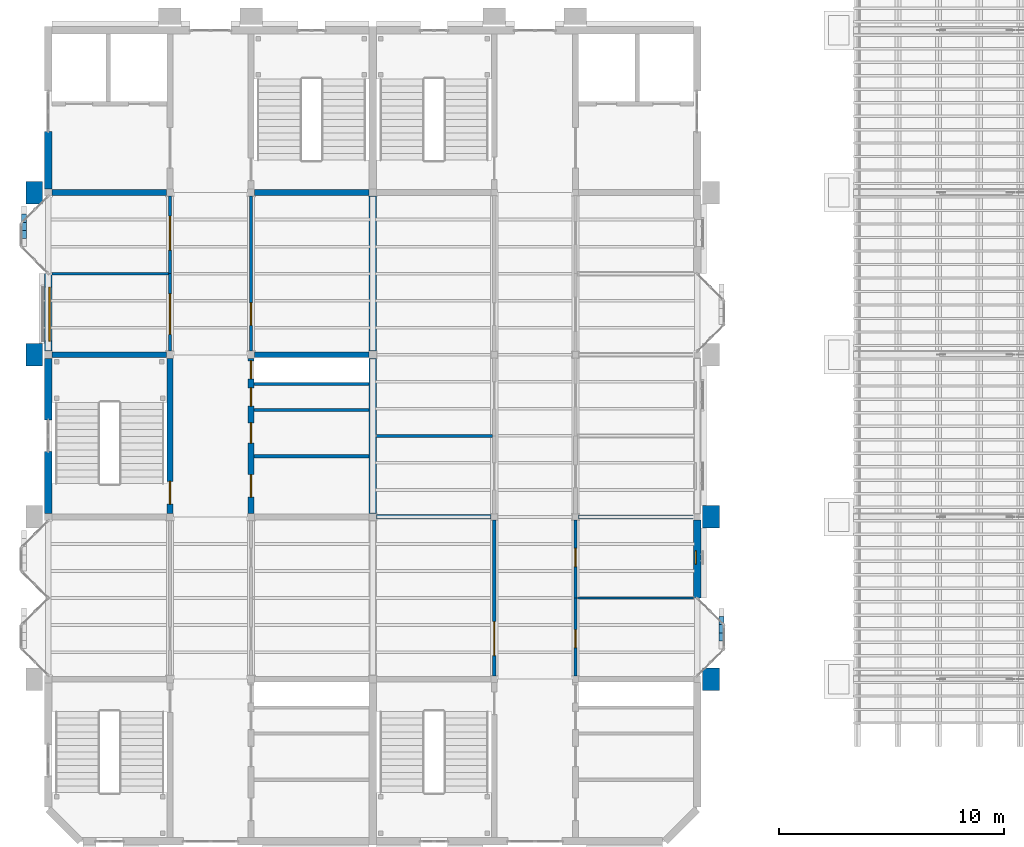
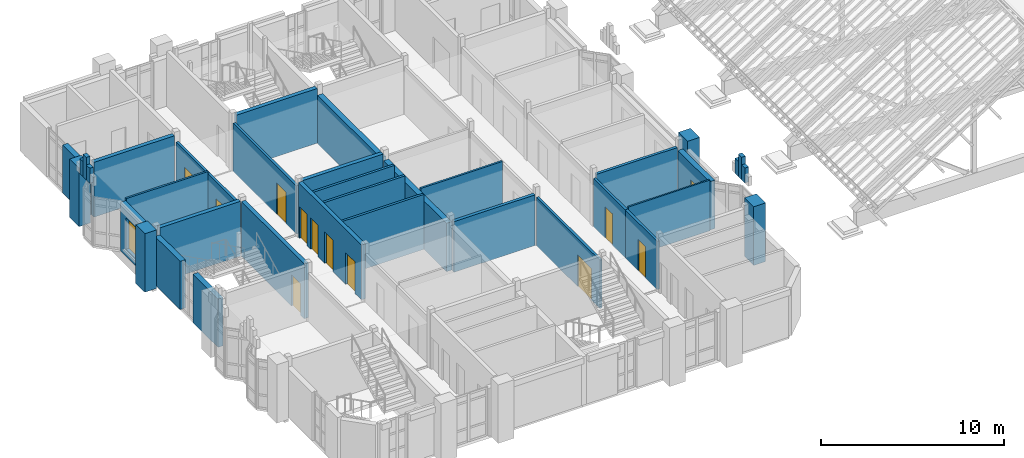
# One storey, part 42 of 71: 37 walls, 11 doors, 2 windows, 13 openings.
"""IFC4 building model written with IfcOpenShell, lengths in metres."""

from ifc_helpers import new_model, si_unit, direction, frame, frame_2d, origin, place, context, subcontext, project, spatial, rectangle, extrude, material, layer, layer_set, type_object, element, fill, save


model = new_model("IFC4")

# Units and contexts
model_context = context("Model", 3, precision=1e-05, world=origin(), true_north=direction((0.0, 1.0)))
body_context = subcontext(model_context, "Body", "Model", "MODEL_VIEW")
ifc_project = project(units=[si_unit("LENGTHUNIT", "METRE"), si_unit("AREAUNIT", "SQUARE_METRE"), si_unit("VOLUMEUNIT", "CUBIC_METRE"), si_unit("PLANEANGLEUNIT", "RADIAN"), si_unit("MASSUNIT", "GRAM", prefix="KILO")], contexts=[model_context])

# Site, building, storey
site_placement = place(None, origin())
site = spatial("IfcSite", under=ifc_project, at=site_placement, CompositionType="ELEMENT")
building_placement = place(site_placement, origin())
building = spatial("IfcBuilding", under=site, at=building_placement, Name="Mazhai Court Health Centre", CompositionType="ELEMENT")
storey_placement = place(building_placement, frame((0.0, 0.0, 10.199951171875)))
storey = spatial("IfcBuildingStorey", under=building, at=storey_placement, Name="L02", CompositionType="ELEMENT", Elevation=10.199951171875)

# Walls
ifc_material_1 = material(Name="Clay brick masonry", Category="masonry")
ifc_layer_1 = layer(ifc_material_1, 0.22998046875)
ifc_layer_set_1 = layer_set([ifc_layer_1], Name="BRICK PARAPET 230")
wall_type_1 = type_object("IfcWallType", Name="BRICK PARAPET 230", PredefinedType="SOLIDWALL", material=ifc_layer_set_1)
wall_1_placement = place(storey_placement, frame((5.114990234375, 32.9599609375, 3.900146484375), z_axis=(0.0, 0.0, 1.0), x_axis=(0.0, 1.0, 0.0)))
element("IfcWall", 1, at=wall_1_placement, inside=storey, type_object=wall_type_1, Name="PR-V2-L02-A31-1", PredefinedType="SOLIDWALL", context=body_context, shape_type="SweptSolid", body=[
    extrude(rectangle(XDim=0.360107421875, YDim=0.22998046875, at=frame_2d((0.18017578125, 0.0))), origin(), (0.0, 0.0, 1.0), 1.0),
])
wall_2_placement = place(storey_placement, frame((5.114990234375, 33.320068359375, 3.900146484375), z_axis=(0.0, 0.0, 1.0), x_axis=(0.0, 1.0, 0.0)))
element("IfcWall", 2, at=wall_2_placement, inside=storey, type_object=wall_type_1, Name="PR-V2-L02-A31-2", PredefinedType="SOLIDWALL", context=body_context, shape_type="SweptSolid", body=[
    extrude(rectangle(XDim=0.35986328125, YDim=0.22998046875, at=frame_2d((0.179931640625, 0.0))), origin(), (0.0, 0.0, 1.0), 1.5),
])
wall_3_placement = place(storey_placement, frame((5.114990234375, 33.679931640625, 3.900146484375), z_axis=(0.0, 0.0, 1.0), x_axis=(0.0, 1.0, 0.0)))
element("IfcWall", 3, at=wall_3_placement, inside=storey, type_object=wall_type_1, Name="PR-V2-L02-A31-3", PredefinedType="SOLIDWALL", context=body_context, shape_type="SweptSolid", body=[
    extrude(rectangle(XDim=0.360107421875, YDim=0.22998046875, at=frame_2d((0.18017578125, 0.0))), origin(), (0.0, 0.0, 1.0), 1.0),
])
wall_4_placement = place(storey_placement, frame((36.0849609375, 15.4599609375, 3.900146484375), z_axis=(0.0, 0.0, 1.0), x_axis=(0.0, -1.0, 0.0)))
element("IfcWall", 4, at=wall_4_placement, inside=storey, type_object=wall_type_1, Name="PR-V5-L02-B10-1", PredefinedType="SOLIDWALL", context=body_context, shape_type="SweptSolid", body=[
    extrude(rectangle(XDim=0.35986328125, YDim=0.22998046875, at=frame_2d((0.179931640625, 0.0))), origin(), (0.0, 0.0, 1.0), 1.0),
])
wall_5_placement = place(storey_placement, frame((36.0849609375, 15.820068359375, 3.900146484375), z_axis=(0.0, 0.0, 1.0), x_axis=(0.0, -1.0, 0.0)))
element("IfcWall", 5, at=wall_5_placement, inside=storey, type_object=wall_type_1, Name="PR-V5-L02-B10-2", PredefinedType="SOLIDWALL", context=body_context, shape_type="SweptSolid", body=[
    extrude(rectangle(XDim=0.360107421875, YDim=0.22998046875, at=frame_2d((0.18017578125, 0.0))), origin(), (0.0, 0.0, 1.0), 1.5),
])
wall_6_placement = place(storey_placement, frame((36.0849609375, 16.179931640625, 3.900146484375), z_axis=(0.0, 0.0, 1.0), x_axis=(0.0, -1.0, 0.0)))
element("IfcWall", 6, at=wall_6_placement, inside=storey, type_object=wall_type_1, Name="PR-V5-L02-B10-3", PredefinedType="SOLIDWALL", context=body_context, shape_type="SweptSolid", body=[
    extrude(rectangle(XDim=0.35986328125, YDim=0.22998046875, at=frame_2d((0.179931640625, 0.0))), origin(), (0.0, 0.0, 1.0), 1.0),
])
ifc_material_2 = material(Name="Clay brick masonry", Category="masonry")
ifc_layer_2 = layer(ifc_material_2, 0.75)
ifc_layer_set_2 = layer_set([ifc_layer_2], Name="BRICK PIER 750")
wall_type_2 = type_object("IfcWallType", Name="BRICK PIER 750", PredefinedType="SOLIDWALL", material=ifc_layer_set_2)
for number, where, z_axis, x_axis, name in (
    (7, (5.574951171875, 27.300048828125, 0.0), (0.0, 0.0, 1.0), (0.0, 1.0, 0.0), "EP-V2-L02-A3"),
    (8, (5.574951171875, 34.5, 0.0), (0.0, 0.0, 1.0), (0.0, 1.0, 0.0), "EP-V2-L02-A4"),
    (9, (35.625, 13.89990234375, 0.0), (0.0, 0.0, 1.0), (0.0, -1.0, 0.0), "EP-V5-L02-B1"),
    (10, (35.625, 21.10009765625, 0.0), (0.0, 0.0, 1.0), (0.0, -1.0, 0.0), "EP-V5-L02-B2"),
):
    element("IfcWall", number, at=place(storey_placement, frame(where, z_axis=z_axis, x_axis=x_axis)), inside=storey, type_object=wall_type_2, Name=name, PredefinedType="SOLIDWALL", context=body_context, shape_type="SweptSolid", body=[
        extrude(rectangle(XDim=1.0, YDim=0.75, at=frame_2d((0.5, 0.0))), origin(), (0.0, 0.0, 1.0), 3.900146484375),
    ])
ifc_material_3 = material(Name="Clay brick masonry", Category="masonry")
ifc_layer_3 = layer(ifc_material_3, 0.330078125)
ifc_layer_set_3 = layer_set([ifc_layer_3], Name="BRICK WALL 330 EXTERNAL")
wall_type_3 = type_object("IfcWallType", Name="BRICK WALL 330 EXTERNAL", PredefinedType="SOLIDWALL", material=ifc_layer_set_3)
for number, where, z_axis, x_axis, name in (
    (11, (6.199951171875, 20.760009765625, 0.0), (0.0, 0.0, 1.0), (0.0, 1.0, 0.0), "EW-V2-L02-A2a"),
    (12, (6.199951171875, 24.89990234375, 0.0), (0.0, 0.0, 1.0), (0.0, 1.0, 0.0), "EW-V2-L02-A2b"),
):
    element("IfcWall", number, at=place(storey_placement, frame(where, z_axis=z_axis, x_axis=x_axis)), inside=storey, type_object=wall_type_3, Name=name, PredefinedType="SOLIDWALL", context=body_context, shape_type="SweptSolid", body=[
        extrude(rectangle(XDim=2.739990234375, YDim=0.330078125, at=frame_2d((1.3701171875, 0.0))), origin(), (0.0, 0.0, 1.0), 3.219970703125),
    ])

# Wall, opening, window
wall_7_placement = place(storey_placement, frame((6.199951171875, 27.9599609375, 0.0), z_axis=(0.0, 0.0, 1.0), x_axis=(0.0, 1.0, 0.0)))
wall_7 = element("IfcWall", 13, at=wall_7_placement, inside=storey, type_object=wall_type_3, Name="EW-V2-L02-A3p0", PredefinedType="SOLIDWALL", context=body_context, shape_type="SweptSolid", body=[
    extrude(rectangle(XDim=3.43994140625, YDim=0.330078125, at=frame_2d((1.719970703125, 0.0))), origin(), (0.0, 0.0, 1.0), 3.219970703125),
])
opening_1_placement = place(wall_7_placement, frame((0.43994140625, 0.0, 0.449951171875)))
opening_1 = element("IfcOpeningElement", 14, at=opening_1_placement, cuts=wall_7, Name="Opening W10", PredefinedType="OPENING", context=body_context, shape_type="SweptSolid", body=[
    extrude(rectangle(XDim=2.39990234375, YDim=2.10009765625, at=frame_2d((1.199951171875, 1.050048828125))), frame((0.0, 0.175048828125, 0.0), z_axis=(0.0, -1.0, 0.0), x_axis=(1.0, 0.0, 0.0)), (0.0, 0.0, 1.0), 0.35009765625),
])
ifc_material_4 = material(Name="Teak timber frame, glazed", Category="wood")
window_type_1 = type_object("IfcWindowType", Name="WINDOW LOUNGE 2400x2100", PartitioningType="SINGLE_PANEL", PredefinedType="WINDOW", material=ifc_material_4)
window_1_placement = place(opening_1_placement, origin())
window_1 = element("IfcWindow", 15, at=window_1_placement, inside=storey, type_object=window_type_1, Name="W10 WN-V2-L02-A30", OverallHeight=2.10009765625, OverallWidth=2.39990234375, PartitioningType="SINGLE_PANEL", PredefinedType="WINDOW", context=body_context, shape_type="SweptSolid", body=[
    extrude(rectangle(XDim=2.39990234375, YDim=2.10009765625, at=frame_2d((1.199951171875, 1.050048828125))), frame((0.0, -0.030029296875, 0.0), z_axis=(0.0, -1.0, 0.0), x_axis=(1.0, 0.0, 0.0)), (0.0, 0.0, 1.0), 0.06005859375),
])
fill(opening_1, window_1)

# Wall
wall_8_placement = place(storey_placement, frame((6.199951171875, 35.159912109375, 0.0), z_axis=(0.0, 0.0, 1.0), x_axis=(0.0, 1.0, 0.0)))
element("IfcWall", 16, at=wall_8_placement, inside=storey, type_object=wall_type_3, Name="EW-V2-L02-A4a", PredefinedType="SOLIDWALL", context=body_context, shape_type="SweptSolid", body=[
    extrude(rectangle(XDim=2.5400390625, YDim=0.330078125, at=frame_2d((1.27001953125, 0.0))), origin(), (0.0, 0.0, 1.0), 3.219970703125),
])

# Wall, opening, window
wall_9_placement = place(storey_placement, frame((35.0, 20.4599609375, 0.0), z_axis=(0.0, 0.0, 1.0), x_axis=(0.0, -1.0, 0.0)))
wall_9 = element("IfcWall", 17, at=wall_9_placement, inside=storey, type_object=wall_type_3, Name="EW-V5-L02-B1p1", PredefinedType="SOLIDWALL", context=body_context, shape_type="SweptSolid", body=[
    extrude(rectangle(XDim=3.4599609375, YDim=0.330078125, at=frame_2d((1.72998046875, 0.0))), origin(), (0.0, 0.0, 1.0), 3.219970703125),
])
opening_2_placement = place(wall_9_placement, frame((1.360107421875, 0.0, 1.5)))
opening_2 = element("IfcOpeningElement", 18, at=opening_2_placement, cuts=wall_9, Name="Opening W5", PredefinedType="OPENING", context=body_context, shape_type="SweptSolid", body=[
    extrude(rectangle(XDim=0.60009765625, YDim=0.60009765625, at=frame_2d((0.300048828125, 0.300048828125))), frame((0.0, 0.175048828125, 0.0), z_axis=(0.0, -1.0, 0.0), x_axis=(1.0, 0.0, 0.0)), (0.0, 0.0, 1.0), 0.35009765625),
])
ifc_material_5 = material(Name="Teak timber frame, glazed", Category="wood")
window_type_2 = type_object("IfcWindowType", Name="WINDOW HIGH LEVEL 600x600", PartitioningType="SINGLE_PANEL", PredefinedType="WINDOW", material=ifc_material_5)
window_2_placement = place(opening_2_placement, origin())
window_2 = element("IfcWindow", 19, at=window_2_placement, inside=storey, type_object=window_type_2, Name="W5 WN-V5-L02-B11", OverallHeight=0.60009765625, OverallWidth=0.60009765625, PartitioningType="SINGLE_PANEL", PredefinedType="WINDOW", context=body_context, shape_type="SweptSolid", body=[
    extrude(rectangle(XDim=0.60009765625, YDim=0.60009765625, at=frame_2d((0.300048828125, 0.300048828125))), frame((0.0, -0.030029296875, 0.0), z_axis=(0.0, -1.0, 0.0), x_axis=(1.0, 0.0, 0.0)), (0.0, 0.0, 1.0), 0.06005859375),
])
fill(opening_2, window_2)

# Walls
ifc_material_6 = material(Name="Clay brick masonry", Category="masonry")
ifc_layer_4 = layer(ifc_material_6, 0.330078125)
ifc_layer_set_4 = layer_set([ifc_layer_4], Name="BRICK WALL 330 INTERNAL")
wall_type_4 = type_object("IfcWallType", Name="BRICK WALL 330 INTERNAL", PredefinedType="SOLIDWALL", material=ifc_layer_set_4)
wall_10_placement = place(storey_placement, frame((20.60009765625, 27.639892578125, 0.0), z_axis=(0.0, 0.0, 1.0), x_axis=(0.0, -1.0, 0.0)))
element("IfcWall", 20, at=wall_10_placement, inside=storey, type_object=wall_type_4, Name="EW-V2-L02-B2", PredefinedType="SOLIDWALL", context=body_context, shape_type="SweptSolid", body=[
    extrude(rectangle(XDim=6.8798828125, YDim=0.330078125, at=frame_2d((3.43994140625, 0.0))), origin(), (0.0, 0.0, 1.0), 3.219970703125),
])
wall_11_placement = place(storey_placement, frame((20.60009765625, 34.840087890625, 0.0), z_axis=(0.0, 0.0, 1.0), x_axis=(0.0, -1.0, 0.0)))
element("IfcWall", 21, at=wall_11_placement, inside=storey, type_object=wall_type_4, Name="EW-V2-L02-B3", PredefinedType="SOLIDWALL", context=body_context, shape_type="SweptSolid", body=[
    extrude(rectangle(XDim=6.880126953125, YDim=0.330078125, at=frame_2d((3.43994140625, 0.0))), origin(), (0.0, 0.0, 1.0), 3.219970703125),
])
ifc_material_7 = material(Name="Gypsum plasterboard partition")
ifc_layer_5 = layer(ifc_material_7, 0.10009765625)
ifc_layer_set_5 = layer_set([ifc_layer_5], Name="PARTITION 100 STUD EI30")
wall_type_5 = type_object("IfcWallType", Name="PARTITION 100 STUD EI30", PredefinedType="PARTITIONING", material=ifc_layer_set_5)
wall_12_placement = place(storey_placement, frame((34.8349609375, 17.0, 0.0), z_axis=(0.0, 0.0, 1.0), x_axis=(-1.0, 0.0, 0.0)))
element("IfcWall", 22, at=wall_12_placement, inside=storey, type_object=wall_type_5, Name="wall-V5-L02-B0-cross-1a", PredefinedType="PARTITIONING", context=body_context, shape_type="SweptSolid", body=[
    extrude(rectangle(XDim=5.1474609375, YDim=0.10009765625, at=frame_2d((2.57373046875, 0.0))), origin(), (0.0, 0.0, 1.0), 3.380126953125),
])
ifc_material_8 = material(Name="Gypsum plasterboard partition")
ifc_layer_6 = layer(ifc_material_8, 0.125)
ifc_layer_set_6 = layer_set([ifc_layer_6], Name="PARTITION 125 STUD EI30")
wall_type_6 = type_object("IfcWallType", Name="PARTITION 125 STUD EI30", PredefinedType="PARTITIONING", material=ifc_layer_set_6)
wall_13_placement = place(storey_placement, frame((6.364990234375, 31.39990234375, 0.0), z_axis=(0.0, 0.0, 1.0), x_axis=(1.0, 0.0, 0.0)))
element("IfcWall", 23, at=wall_13_placement, inside=storey, type_object=wall_type_6, Name="wall-V2-L02-A1-cross-1a", PredefinedType="PARTITIONING", context=body_context, shape_type="SweptSolid", body=[
    extrude(rectangle(XDim=5.159912109375, YDim=0.125, at=frame_2d((2.580078125, 0.0))), origin(), (0.0, 0.0, 1.0), 3.380126953125),
])
wall_14_placement = place(storey_placement, frame((20.764892578125, 24.199951171875, 0.0), z_axis=(0.0, 0.0, 1.0), x_axis=(1.0, 0.0, 0.0)))
element("IfcWall", 24, at=wall_14_placement, inside=storey, type_object=wall_type_6, Name="wall-V5-L02-A0-cross-2a", PredefinedType="PARTITIONING", context=body_context, shape_type="SweptSolid", body=[
    extrude(rectangle(XDim=5.16015625, YDim=0.125, at=frame_2d((2.580078125, 0.0))), origin(), (0.0, 0.0, 1.0), 3.380126953125),
])

# Wall, opening, door
ifc_material_9 = material(Name="Gypsum plasterboard partition")
ifc_layer_7 = layer(ifc_material_9, 0.14990234375)
ifc_layer_set_7 = layer_set([ifc_layer_7], Name="PARTITION 150 CORRIDOR EI60")
wall_type_7 = type_object("IfcWallType", Name="PARTITION 150 CORRIDOR EI60", PredefinedType="PARTITIONING", material=ifc_layer_set_7)
wall_15_placement = place(storey_placement, frame((11.60009765625, 27.9599609375, 0.0), z_axis=(0.0, 0.0, 1.0), x_axis=(0.0, 1.0, 0.0)))
wall_15 = element("IfcWall", 25, at=wall_15_placement, inside=storey, type_object=wall_type_7, Name="wall-V2-L02-A1-corr-0a", PredefinedType="PARTITIONING", context=body_context, shape_type="SweptSolid", body=[
    extrude(rectangle(XDim=3.43994140625, YDim=0.14990234375, at=frame_2d((1.719970703125, 0.0))), origin(), (0.0, 0.0, 1.0), 3.219970703125),
])
opening_3_placement = place(wall_15_placement, frame((0.739990234375, 0.0, 0.0)))
opening_3 = element("IfcOpeningElement", 26, at=opening_3_placement, cuts=wall_15, Name="Opening D-L02-004", PredefinedType="OPENING", context=body_context, shape_type="SweptSolid", body=[
    extrude(rectangle(XDim=1.800048828125, YDim=2.10009765625, at=frame_2d((0.89990234375, 1.050048828125))), frame((0.0, 0.0849609375, 0.0), z_axis=(0.0, -1.0, 0.0), x_axis=(1.0, 0.0, 0.0)), (0.0, 0.0, 1.0), 0.169921875),
])
ifc_material_10 = material(Name="Hardwood door leaf", Category="wood")
door_type_1 = type_object("IfcDoorType", Name="DOOR 1800x2100 FD30S DOUBLE", OperationType="NOTDEFINED", PredefinedType="DOOR", material=ifc_material_10)
door_1_placement = place(opening_3_placement, origin())
door_1 = element("IfcDoor", 27, at=door_1_placement, inside=storey, type_object=door_type_1, Name="door-V2-L02-A1-day-ward-bay", OperationType="DOUBLE_DOOR_SINGLE_SWING", OverallHeight=2.10009765625, OverallWidth=1.800048828125, PredefinedType="DOOR", context=body_context, shape_type="SweptSolid", body=[
    extrude(rectangle(XDim=1.800048828125, YDim=2.10009765625, at=frame_2d((0.89990234375, 1.050048828125))), frame((0.0, 0.02490234375, 0.0), z_axis=(0.0, -1.0, 0.0), x_axis=(1.0, 0.0, 0.0)), (0.0, 0.0, 1.0), 0.050048828125),
])
fill(opening_3, door_1)

wall_16_placement = place(storey_placement, frame((11.60009765625, 31.39990234375, 0.0), z_axis=(0.0, 0.0, 1.0), x_axis=(0.0, 1.0, 0.0)))
wall_16 = element("IfcWall", 28, at=wall_16_placement, inside=storey, type_object=wall_type_7, Name="wall-V2-L02-A1-corr-1a", PredefinedType="PARTITIONING", context=body_context, shape_type="SweptSolid", body=[
    extrude(rectangle(XDim=3.440185546875, YDim=0.14990234375, at=frame_2d((1.72021484375, 0.0))), origin(), (0.0, 0.0, 1.0), 3.219970703125),
])
opening_4_placement = place(wall_16_placement, frame((1.050048828125, 0.0, 0.0)))
opening_4 = element("IfcOpeningElement", 29, at=opening_4_placement, cuts=wall_16, Name="Opening D-L02-005", PredefinedType="OPENING", context=body_context, shape_type="SweptSolid", body=[
    extrude(rectangle(XDim=1.5, YDim=2.10009765625, at=frame_2d((0.75, 1.050048828125))), frame((0.0, 0.0849609375, 0.0), z_axis=(0.0, -1.0, 0.0), x_axis=(1.0, 0.0, 0.0)), (0.0, 0.0, 1.0), 0.169921875),
])
ifc_material_11 = material(Name="Hardwood door leaf", Category="wood")
door_type_2 = type_object("IfcDoorType", Name="DOOR 1500x2100 FD30S DOUBLE", OperationType="NOTDEFINED", PredefinedType="DOOR", material=ifc_material_11)
door_2_placement = place(opening_4_placement, origin())
door_2 = element("IfcDoor", 30, at=door_2_placement, inside=storey, type_object=door_type_2, Name="door-V2-L02-A1-discharge-lounge", OperationType="DOUBLE_DOOR_SINGLE_SWING", OverallHeight=2.10009765625, OverallWidth=1.5, PredefinedType="DOOR", context=body_context, shape_type="SweptSolid", body=[
    extrude(rectangle(XDim=1.5, YDim=2.10009765625, at=frame_2d((0.75, 1.050048828125))), frame((0.0, 0.02490234375, 0.0), z_axis=(0.0, -1.0, 0.0), x_axis=(1.0, 0.0, 0.0)), (0.0, 0.0, 1.0), 0.050048828125),
])
fill(opening_4, door_2)

wall_17_placement = place(storey_placement, frame((15.199951171875, 34.840087890625, 0.0), z_axis=(0.0, 0.0, 1.0), x_axis=(0.0, -1.0, 0.0)))
wall_17 = element("IfcWall", 31, at=wall_17_placement, inside=storey, type_object=wall_type_7, Name="wall-V2-L02-B1-corr-0a", PredefinedType="PARTITIONING", context=body_context, shape_type="SweptSolid", body=[
    extrude(rectangle(XDim=6.880126953125, YDim=0.14990234375, at=frame_2d((3.43994140625, 0.0))), origin(), (0.0, 0.0, 1.0), 3.219970703125),
])
opening_5_placement = place(wall_17_placement, frame((4.739990234375, 0.0, 0.0)))
opening_5 = element("IfcOpeningElement", 32, at=opening_5_placement, cuts=wall_17, Name="Opening D-L02-017", PredefinedType="OPENING", context=body_context, shape_type="SweptSolid", body=[
    extrude(rectangle(XDim=1.0, YDim=2.10009765625, at=frame_2d((0.5, 1.050048828125))), frame((0.0, 0.0849609375, 0.0), z_axis=(0.0, -1.0, 0.0), x_axis=(1.0, 0.0, 0.0)), (0.0, 0.0, 1.0), 0.169921875),
])
ifc_material_12 = material(Name="Hardwood door leaf", Category="wood")
door_type_3 = type_object("IfcDoorType", Name="DOOR 1000x2100 FD30S SINGLE", OperationType="NOTDEFINED", PredefinedType="DOOR", material=ifc_material_12)
door_3_placement = place(opening_5_placement, origin())
door_3 = element("IfcDoor", 33, at=door_3_placement, inside=storey, type_object=door_type_3, Name="door-V2-L02-B1-second-phase-recovery-lounge", OperationType="SINGLE_SWING_RIGHT", OverallHeight=2.10009765625, OverallWidth=1.0, PredefinedType="DOOR", context=body_context, shape_type="SweptSolid", body=[
    extrude(rectangle(XDim=1.0, YDim=2.10009765625, at=frame_2d((0.5, 1.050048828125))), frame((0.0, 0.02490234375, 0.0), z_axis=(0.0, -1.0, 0.0), x_axis=(1.0, 0.0, 0.0)), (0.0, 0.0, 1.0), 0.050048828125),
])
fill(opening_5, door_3)

wall_18_placement = place(storey_placement, frame((26.0, 13.5400390625, 0.0), z_axis=(0.0, 0.0, 1.0), x_axis=(0.0, 1.0, 0.0)))
wall_18 = element("IfcWall", 34, at=wall_18_placement, inside=storey, type_object=wall_type_7, Name="wall-V5-L02-A0-corr-0a", PredefinedType="PARTITIONING", context=body_context, shape_type="SweptSolid", body=[
    extrude(rectangle(XDim=6.919921875, YDim=0.14990234375, at=frame_2d((3.4599609375, 0.0))), origin(), (0.0, 0.0, 1.0), 3.219970703125),
])
opening_6_placement = place(wall_18_placement, frame((0.909912109375, 0.0, 0.0)))
opening_6 = element("IfcOpeningElement", 35, at=opening_6_placement, cuts=wall_18, Name="Opening D-L02-020", PredefinedType="OPENING", context=body_context, shape_type="SweptSolid", body=[
    extrude(rectangle(XDim=1.5, YDim=2.10009765625, at=frame_2d((0.75, 1.050048828125))), frame((0.0, 0.0849609375, 0.0), z_axis=(0.0, -1.0, 0.0), x_axis=(1.0, 0.0, 0.0)), (0.0, 0.0, 1.0), 0.169921875),
])
door_4_placement = place(opening_6_placement, origin())
door_4 = element("IfcDoor", 36, at=door_4_placement, inside=storey, type_object=door_type_2, Name="door-V5-L02-A0-physiotherapy-gym", OperationType="DOUBLE_DOOR_SINGLE_SWING", OverallHeight=2.10009765625, OverallWidth=1.5, PredefinedType="DOOR", context=body_context, shape_type="SweptSolid", body=[
    extrude(rectangle(XDim=1.5, YDim=2.10009765625, at=frame_2d((0.75, 1.050048828125))), frame((0.0, 0.02490234375, 0.0), z_axis=(0.0, -1.0, 0.0), x_axis=(1.0, 0.0, 0.0)), (0.0, 0.0, 1.0), 0.050048828125),
])
fill(opening_6, door_4)

wall_19_placement = place(storey_placement, frame((29.60009765625, 17.0, 0.0), z_axis=(0.0, 0.0, 1.0), x_axis=(0.0, -1.0, 0.0)))
wall_19 = element("IfcWall", 37, at=wall_19_placement, inside=storey, type_object=wall_type_7, Name="wall-V5-L02-B0-corr-0a", PredefinedType="PARTITIONING", context=body_context, shape_type="SweptSolid", body=[
    extrude(rectangle(XDim=3.4599609375, YDim=0.14990234375, at=frame_2d((1.72998046875, 0.0))), origin(), (0.0, 0.0, 1.0), 3.219970703125),
])
opening_7_placement = place(wall_19_placement, frame((1.39990234375, 0.0, 0.0)))
opening_7 = element("IfcOpeningElement", 38, at=opening_7_placement, cuts=wall_19, Name="Opening D-L02-029", PredefinedType="OPENING", context=body_context, shape_type="SweptSolid", body=[
    extrude(rectangle(XDim=0.800048828125, YDim=2.10009765625, at=frame_2d((0.39990234375, 1.050048828125))), frame((0.0, 0.0849609375, 0.0), z_axis=(0.0, -1.0, 0.0), x_axis=(1.0, 0.0, 0.0)), (0.0, 0.0, 1.0), 0.169921875),
])
ifc_material_13 = material(Name="Hardwood door leaf", Category="wood")
door_type_4 = type_object("IfcDoorType", Name="DOOR 800x2100 FD30S SINGLE", OperationType="NOTDEFINED", PredefinedType="DOOR", material=ifc_material_13)
door_5_placement = place(opening_7_placement, origin())
door_5 = element("IfcDoor", 39, at=door_5_placement, inside=storey, type_object=door_type_4, Name="door-V5-L02-B0-pharmacy-store", OperationType="SINGLE_SWING_RIGHT", OverallHeight=2.10009765625, OverallWidth=0.800048828125, PredefinedType="DOOR", context=body_context, shape_type="SweptSolid", body=[
    extrude(rectangle(XDim=0.800048828125, YDim=2.10009765625, at=frame_2d((0.39990234375, 1.050048828125))), frame((0.0, 0.02490234375, 0.0), z_axis=(0.0, -1.0, 0.0), x_axis=(1.0, 0.0, 0.0)), (0.0, 0.0, 1.0), 0.050048828125),
])
fill(opening_7, door_5)

wall_20_placement = place(storey_placement, frame((29.60009765625, 20.4599609375, 0.0), z_axis=(0.0, 0.0, 1.0), x_axis=(0.0, -1.0, 0.0)))
wall_20 = element("IfcWall", 40, at=wall_20_placement, inside=storey, type_object=wall_type_7, Name="wall-V5-L02-B0-corr-1a", PredefinedType="PARTITIONING", context=body_context, shape_type="SweptSolid", body=[
    extrude(rectangle(XDim=3.4599609375, YDim=0.14990234375, at=frame_2d((1.72998046875, 0.0))), origin(), (0.0, 0.0, 1.0), 3.219970703125),
])
opening_8_placement = place(wall_20_placement, frame((1.260009765625, 0.0, 0.0)))
opening_8 = element("IfcOpeningElement", 41, at=opening_8_placement, cuts=wall_20, Name="Opening D-L02-030", PredefinedType="OPENING", context=body_context, shape_type="SweptSolid", body=[
    extrude(rectangle(XDim=0.800048828125, YDim=2.10009765625, at=frame_2d((0.39990234375, 1.050048828125))), frame((0.0, 0.0849609375, 0.0), z_axis=(0.0, -1.0, 0.0), x_axis=(1.0, 0.0, 0.0)), (0.0, 0.0, 1.0), 0.169921875),
])
door_6_placement = place(opening_8_placement, origin())
door_6 = element("IfcDoor", 42, at=door_6_placement, inside=storey, type_object=door_type_4, Name="door-V5-L02-B0-medical-records-room", OperationType="SINGLE_SWING_LEFT", OverallHeight=2.10009765625, OverallWidth=0.800048828125, PredefinedType="DOOR", context=body_context, shape_type="SweptSolid", body=[
    extrude(rectangle(XDim=0.800048828125, YDim=2.10009765625, at=frame_2d((0.39990234375, 1.050048828125))), frame((0.0, 0.02490234375, 0.0), z_axis=(0.0, -1.0, 0.0), x_axis=(1.0, 0.0, 0.0)), (0.0, 0.0, 1.0), 0.050048828125),
])
fill(opening_8, door_6)

# Walls
ifc_material_14 = material(Name="Gypsum plasterboard partition")
ifc_layer_8 = layer(ifc_material_14, 0.175048828125)
ifc_layer_set_8 = layer_set([ifc_layer_8], Name="PARTITION 175 FIRE EI60")
wall_type_8 = type_object("IfcWallType", Name="PARTITION 175 FIRE EI60", PredefinedType="PARTITIONING", material=ifc_layer_set_8)
wall_21_placement = place(storey_placement, frame((34.8349609375, 20.60009765625, 0.0), z_axis=(0.0, 0.0, 1.0), x_axis=(-1.0, 0.0, 0.0)))
element("IfcWall", 43, at=wall_21_placement, inside=storey, type_object=wall_type_8, Name="wall-V5-L02-B0-cross-2a", PredefinedType="PARTITIONING", context=body_context, shape_type="SweptSolid", body=[
    extrude(rectangle(XDim=5.094970703125, YDim=0.175048828125, at=frame_2d((2.54736328125, 0.0))), origin(), (0.0, 0.0, 1.0), 3.380126953125),
])
ifc_material_15 = material(Name="Gypsum plasterboard partition")
ifc_layer_9 = layer(ifc_material_15, 0.199951171875)
ifc_layer_set_9 = layer_set([ifc_layer_9], Name="PARTITION 200 ACOUSTIC EI30")
wall_type_9 = type_object("IfcWallType", Name="PARTITION 200 ACOUSTIC EI30", PredefinedType="PARTITIONING", material=ifc_layer_set_9)
wall_22_placement = place(storey_placement, frame((20.764892578125, 20.60009765625, 0.0), z_axis=(0.0, 0.0, 1.0), x_axis=(1.0, 0.0, 0.0)))
element("IfcWall", 44, at=wall_22_placement, inside=storey, type_object=wall_type_9, Name="wall-V5-L02-A0-cross-1a", PredefinedType="PARTITIONING", context=body_context, shape_type="SweptSolid", body=[
    extrude(rectangle(XDim=5.09521484375, YDim=0.199951171875, at=frame_2d((2.547607421875, 0.0))), origin(), (0.0, 0.0, 1.0), 3.380126953125),
])

# Wall, opening, door
ifc_material_16 = material(Name="Concrete M40", Category="concrete")
ifc_layer_10 = layer(ifc_material_16, 0.25)
ifc_layer_set_10 = layer_set([ifc_layer_10], Name="RC CORE WALL 250 M40")
wall_type_10 = type_object("IfcWallType", Name="RC CORE WALL 250 M40", PredefinedType="SHEAR", material=ifc_layer_set_10)
wall_23_placement = place(storey_placement, frame((11.60009765625, 20.760009765625, 0.0), z_axis=(0.0, 0.0, 1.0), x_axis=(0.0, 1.0, 0.0)))
wall_23 = element("IfcWall", 45, at=wall_23_placement, inside=storey, type_object=wall_type_10, Name="core-C2-w-stair-corr-L02", PredefinedType="SHEAR", context=body_context, shape_type="SweptSolid", body=[
    extrude(rectangle(XDim=6.8798828125, YDim=0.25, at=frame_2d((3.43994140625, 0.0))), origin(), (0.0, 0.0, 1.0), 3.650146484375),
])
opening_9_placement = place(wall_23_placement, frame((0.4150390625, 0.0, 0.0)))
opening_9 = element("IfcOpeningElement", 46, at=opening_9_placement, cuts=wall_23, Name="Opening D-L02-003", PredefinedType="OPENING", context=body_context, shape_type="SweptSolid", body=[
    extrude(rectangle(XDim=1.0, YDim=2.10009765625, at=frame_2d((0.5, 1.050048828125))), frame((0.0, 0.135009765625, 0.0), z_axis=(0.0, -1.0, 0.0), x_axis=(1.0, 0.0, 0.0)), (0.0, 0.0, 1.0), 0.27001953125),
])
ifc_material_17 = material(Name="Steel fire door leaf", Category="steel")
door_type_5 = type_object("IfcDoorType", Name="FD120S STAIR DOOR 1000x2100", OperationType="SINGLE_SWING_LEFT", PredefinedType="DOOR", material=ifc_material_17)
door_7_placement = place(opening_9_placement, origin())
door_7 = element("IfcDoor", 47, at=door_7_placement, inside=storey, type_object=door_type_5, Name="Stair 2 door L02", OperationType="SINGLE_SWING_RIGHT", OverallHeight=2.10009765625, OverallWidth=1.0, PredefinedType="DOOR", context=body_context, shape_type="SweptSolid", body=[
    extrude(rectangle(XDim=1.0, YDim=2.10009765625, at=frame_2d((0.5, 1.050048828125))), frame((0.0, 0.02490234375, 0.0), z_axis=(0.0, -1.0, 0.0), x_axis=(1.0, 0.0, 0.0)), (0.0, 0.0, 1.0), 0.050048828125),
])
fill(opening_9, door_7)

# Wall
wall_24_placement = place(storey_placement, frame((6.360107421875, 27.800048828125, 0.0), z_axis=(0.0, 0.0, 1.0), x_axis=(1.0, 0.0, 0.0)))
element("IfcWall", 48, at=wall_24_placement, inside=storey, type_object=wall_type_10, Name="core-C2-w-stair-line1-L02", PredefinedType="SHEAR", context=body_context, shape_type="SweptSolid", body=[
    extrude(rectangle(XDim=5.079833984375, YDim=0.25, at=frame_2d((2.5400390625, 0.0))), origin(), (0.0, 0.0, 1.0), 3.650146484375),
])

# Wall, openings, doors
wall_25_placement = place(storey_placement, frame((15.199951171875, 20.760009765625, 0.0), z_axis=(0.0, 0.0, 1.0), x_axis=(0.0, 1.0, 0.0)))
wall_25 = element("IfcWall", 49, at=wall_25_placement, inside=storey, type_object=wall_type_10, Name="core-C2-w-other-corr-L02", PredefinedType="SHEAR", context=body_context, shape_type="SweptSolid", body=[
    extrude(rectangle(XDim=6.8798828125, YDim=0.25, at=frame_2d((3.43994140625, 0.0))), origin(), (0.0, 0.0, 1.0), 3.650146484375),
])
opening_10_placement = place(wall_25_placement, frame((0.715087890625, 0.0, 0.0)))
opening_10 = element("IfcOpeningElement", 50, at=opening_10_placement, cuts=wall_25, Name="Opening D-L02-013", PredefinedType="OPENING", context=body_context, shape_type="SweptSolid", body=[
    extrude(rectangle(XDim=1.0, YDim=2.10009765625, at=frame_2d((0.5, 1.050048828125))), frame((0.0, 0.135009765625, 0.0), z_axis=(0.0, -1.0, 0.0), x_axis=(1.0, 0.0, 0.0)), (0.0, 0.0, 1.0), 0.27001953125),
])
opening_11_placement = place(wall_25_placement, frame((3.114990234375, 0.0, 0.0)))
opening_11 = element("IfcOpeningElement", 51, at=opening_11_placement, cuts=wall_25, Name="Opening D-L02-014", PredefinedType="OPENING", context=body_context, shape_type="SweptSolid", body=[
    extrude(rectangle(XDim=0.89990234375, YDim=2.10009765625, at=frame_2d((0.449951171875, 1.050048828125))), frame((0.0, 0.135009765625, 0.0), z_axis=(0.0, -1.0, 0.0), x_axis=(1.0, 0.0, 0.0)), (0.0, 0.0, 1.0), 0.27001953125),
])
opening_12_placement = place(wall_25_placement, frame((4.764892578125, 0.0, 0.0)))
opening_12 = element("IfcOpeningElement", 52, at=opening_12_placement, cuts=wall_25, Name="Opening D-L02-015", PredefinedType="OPENING", context=body_context, shape_type="SweptSolid", body=[
    extrude(rectangle(XDim=0.800048828125, YDim=2.10009765625, at=frame_2d((0.39990234375, 1.050048828125))), frame((0.0, 0.135009765625, 0.0), z_axis=(0.0, -1.0, 0.0), x_axis=(1.0, 0.0, 0.0)), (0.0, 0.0, 1.0), 0.27001953125),
])
opening_13_placement = place(wall_25_placement, frame((5.965087890625, 0.0, 0.0)))
opening_13 = element("IfcOpeningElement", 53, at=opening_13_placement, cuts=wall_25, Name="Opening D-L02-016", PredefinedType="OPENING", context=body_context, shape_type="SweptSolid", body=[
    extrude(rectangle(XDim=0.800048828125, YDim=2.10009765625, at=frame_2d((0.39990234375, 1.050048828125))), frame((0.0, 0.135009765625, 0.0), z_axis=(0.0, -1.0, 0.0), x_axis=(1.0, 0.0, 0.0)), (0.0, 0.0, 1.0), 0.27001953125),
])
ifc_material_18 = material(Name="Timber door leaf", Category="wood")
door_type_6 = type_object("IfcDoorType", Name="ACCESSIBLE WC DOOR 1000x2100", OperationType="SINGLE_SWING_RIGHT", PredefinedType="DOOR", material=ifc_material_18)
door_8_placement = place(opening_10_placement, origin())
door_8 = element("IfcDoor", 54, at=door_8_placement, inside=storey, type_object=door_type_6, Name="Accessible WC door L02", OperationType="SINGLE_SWING_LEFT", OverallHeight=2.10009765625, OverallWidth=1.0, PredefinedType="DOOR", context=body_context, shape_type="SweptSolid", body=[
    extrude(rectangle(XDim=1.0, YDim=2.10009765625, at=frame_2d((0.5, 1.050048828125))), frame((0.0, 0.02490234375, 0.0), z_axis=(0.0, -1.0, 0.0), x_axis=(1.0, 0.0, 0.0)), (0.0, 0.0, 1.0), 0.050048828125),
])
fill(opening_10, door_8)
ifc_material_19 = material(Name="Timber door leaf", Category="wood")
door_type_7 = type_object("IfcDoorType", Name="CLEANER STORE DOOR 800x2100", OperationType="SINGLE_SWING_LEFT", PredefinedType="DOOR", material=ifc_material_19)
door_9_placement = place(opening_12_placement, origin())
door_9 = element("IfcDoor", 55, at=door_9_placement, inside=storey, type_object=door_type_7, Name="Cleaner door L02", OperationType="SINGLE_SWING_LEFT", OverallHeight=2.10009765625, OverallWidth=0.800048828125, PredefinedType="DOOR", context=body_context, shape_type="SweptSolid", body=[
    extrude(rectangle(XDim=0.800048828125, YDim=2.10009765625, at=frame_2d((0.39990234375, 1.050048828125))), frame((0.0, 0.02490234375, 0.0), z_axis=(0.0, -1.0, 0.0), x_axis=(1.0, 0.0, 0.0)), (0.0, 0.0, 1.0), 0.050048828125),
])
fill(opening_12, door_9)
ifc_material_20 = material(Name="Steel fire door leaf", Category="steel")
door_type_8 = type_object("IfcDoorType", Name="FD60S RISER DOOR 800x2100", OperationType="SINGLE_SWING_LEFT", PredefinedType="DOOR", material=ifc_material_20)
door_10_placement = place(opening_13_placement, origin())
door_10 = element("IfcDoor", 56, at=door_10_placement, inside=storey, type_object=door_type_8, Name="Riser door L02", OperationType="SINGLE_SWING_LEFT", OverallHeight=2.10009765625, OverallWidth=0.800048828125, PredefinedType="DOOR", context=body_context, shape_type="SweptSolid", body=[
    extrude(rectangle(XDim=0.800048828125, YDim=2.10009765625, at=frame_2d((0.39990234375, 1.050048828125))), frame((0.0, 0.02490234375, 0.0), z_axis=(0.0, -1.0, 0.0), x_axis=(1.0, 0.0, 0.0)), (0.0, 0.0, 1.0), 0.050048828125),
])
fill(opening_13, door_10)
ifc_material_21 = material(Name="Timber door leaf", Category="wood")
door_type_9 = type_object("IfcDoorType", Name="WC DOOR 900x2100", OperationType="SINGLE_SWING_LEFT", PredefinedType="DOOR", material=ifc_material_21)
door_11_placement = place(opening_11_placement, origin())
door_11 = element("IfcDoor", 57, at=door_11_placement, inside=storey, type_object=door_type_9, Name="WC door L02", OperationType="SINGLE_SWING_LEFT", OverallHeight=2.10009765625, OverallWidth=0.89990234375, PredefinedType="DOOR", context=body_context, shape_type="SweptSolid", body=[
    extrude(rectangle(XDim=0.89990234375, YDim=2.10009765625, at=frame_2d((0.449951171875, 1.050048828125))), frame((0.0, 0.02490234375, 0.0), z_axis=(0.0, -1.0, 0.0), x_axis=(1.0, 0.0, 0.0)), (0.0, 0.0, 1.0), 0.050048828125),
])
fill(opening_11, door_11)

# Walls
for number, where, z_axis, x_axis, name in (
    (58, (15.360107421875, 27.800048828125, 0.0), (0.0, 0.0, 1.0), (1.0, 0.0, 0.0), "core-C2-w-other-line1-L02"),
    (59, (15.360107421875, 35.0, 0.0), (0.0, 0.0, 1.0), (1.0, 0.0, 0.0), "core-C3-w-stair-line0-L02"),
    (60, (6.360107421875, 35.0, 0.0), (0.0, 0.0, 1.0), (1.0, 0.0, 0.0), "core-C3-w-other-line0-L02"),
):
    element("IfcWall", number, at=place(storey_placement, frame(where, z_axis=z_axis, x_axis=x_axis)), inside=storey, type_object=wall_type_10, Name=name, PredefinedType="SHEAR", context=body_context, shape_type="SweptSolid", body=[
        extrude(rectangle(XDim=5.079833984375, YDim=0.25, at=frame_2d((2.5400390625, 0.0))), origin(), (0.0, 0.0, 1.0), 3.650146484375),
    ])
ifc_material_22 = material(Name="Concrete M25", Category="concrete")
ifc_layer_11 = layer(ifc_material_22, 0.14990234375)
ifc_layer_set_11 = layer_set([ifc_layer_11], Name="RC SERVICE ROOM WALL 150 M25")
wall_type_11 = type_object("IfcWallType", Name="RC SERVICE ROOM WALL 150 M25", PredefinedType="PARTITIONING", material=ifc_layer_set_11)
for number, where, z_axis, x_axis, name in (
    (61, (15.324951171875, 23.300048828125, 0.0), (0.0, 0.0, 1.0), (1.0, 0.0, 0.0), "core-C2-w-room0-L02"),
    (62, (15.324951171875, 25.35009765625, 0.0), (0.0, 0.0, 1.0), (1.0, 0.0, 0.0), "core-C2-w-room1-L02"),
    (63, (15.324951171875, 26.5, 0.0), (0.0, 0.0, 1.0), (1.0, 0.0, 0.0), "core-C2-w-room2-L02"),
):
    element("IfcWall", number, at=place(storey_placement, frame(where, z_axis=z_axis, x_axis=x_axis)), inside=storey, type_object=wall_type_11, Name=name, PredefinedType="PARTITIONING", context=body_context, shape_type="SweptSolid", body=[
        extrude(rectangle(XDim=5.110107421875, YDim=0.14990234375, at=frame_2d((2.55517578125, 0.0))), origin(), (0.0, 0.0, 1.0), 3.650146484375),
    ])

save(model, "model.ifc")
